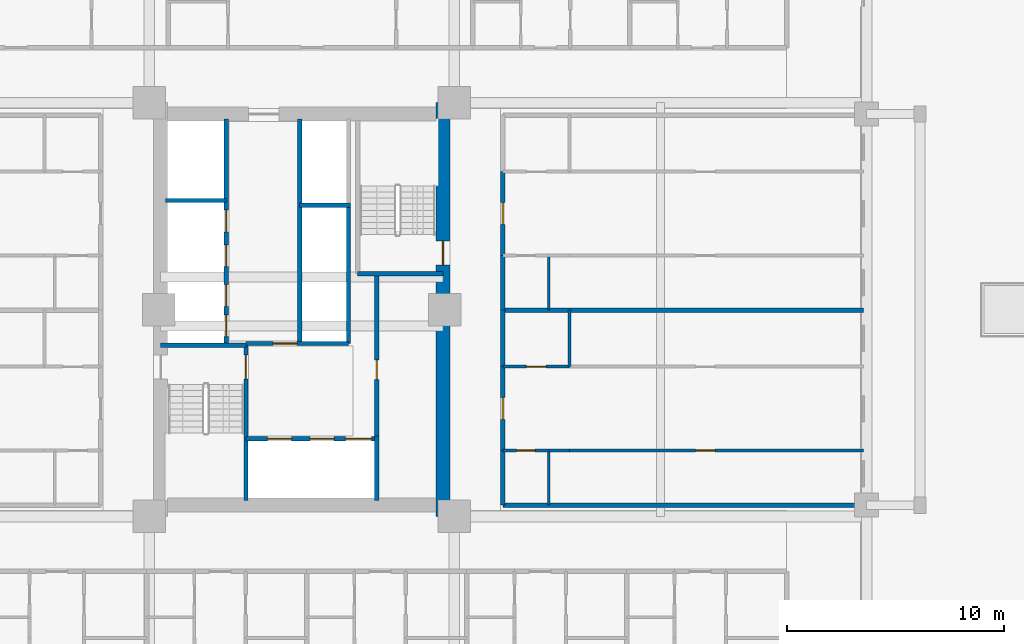
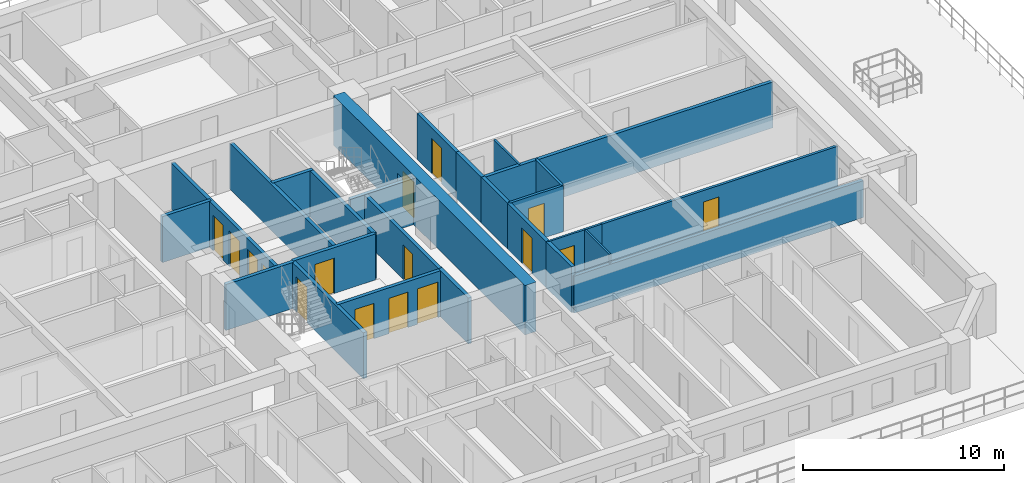
# One storey, part 6 of 19: 27 walls, 16 doors, 16 openings.
"""IFC4 building model written with IfcOpenShell, lengths in metres."""

from ifc_helpers import new_model, si_unit, direction, frame, frame_2d, origin, place, context, subcontext, project, spatial, rectangle, extrude, source, transform, mapped, material, layer, layer_set, type_object, element, fill, save


model = new_model("IFC4")

# Units and contexts
model_context = context("Model", 3, precision=1e-05, world=origin(), true_north=direction((0.0, 1.0)))
body_context = subcontext(model_context, "Body", "Model", "MODEL_VIEW")
ifc_project = project(units=[si_unit("LENGTHUNIT", "METRE"), si_unit("AREAUNIT", "SQUARE_METRE"), si_unit("VOLUMEUNIT", "CUBIC_METRE"), si_unit("PLANEANGLEUNIT", "RADIAN"), si_unit("MASSUNIT", "GRAM", prefix="KILO")], contexts=[model_context])

# Site, building, storey
site_placement = place(None, origin())
site = spatial("IfcSite", under=ifc_project, at=site_placement, CompositionType="ELEMENT")
building_placement = place(site_placement, origin())
building = spatial("IfcBuilding", under=site, at=building_placement, Name="Saelheon Loggia Tower", CompositionType="ELEMENT")
storey_placement = place(building_placement, frame((0.0, 0.0, 19.39990234375)))
storey = spatial("IfcBuildingStorey", under=building, at=storey_placement, Name="L05", CompositionType="ELEMENT", Elevation=19.39990234375)

# Wall, opening, door
ifc_material_1 = material(Name="Concrete C60/75", Category="concrete")
ifc_layer_1 = layer(ifc_material_1, 0.64990234375)
ifc_layer_set_1 = layer_set([ifc_layer_1], Name="Concrete C60/75")
wall_type_1 = type_object("IfcWallType", Name="Wall_CoreShear_650", PredefinedType="SHEAR", material=ifc_layer_set_1)
wall_1_placement = place(storey_placement, frame((44.5, 17.47998046875, 0.0), z_axis=(0.0, 0.0, 1.0), x_axis=(0.0, 1.0, 0.0)))
wall_1 = element("IfcWall", 1, at=wall_1_placement, inside=storey, type_object=wall_type_1, Name="L05 Core Shear Wall East", PredefinedType="SHEAR", context=body_context, shape_type="SweptSolid", body=[
    extrude(rectangle(XDim=19.0400390625, YDim=0.64990234375, at=frame_2d((9.52001953125, 0.0))), origin(), (0.0, 0.0, 1.0), 3.0),
])
opening_1_placement = place(wall_1_placement, frame((12.670166015625, 0.0, 0.0), z_axis=(0.0, 0.0, 1.0), x_axis=(-1.0, 0.0, 0.0)))
opening_1 = element("IfcOpeningElement", 2, at=opening_1_placement, cuts=wall_1, Name="Opening D-FD2", PredefinedType="OPENING", context=body_context, shape_type="SweptSolid", body=[
    extrude(rectangle(XDim=1.10009765625, YDim=2.14990234375, at=frame_2d((0.550048828125, 1.074951171875))), frame((0.0, 0.3369140625, 0.0), z_axis=(0.0, -1.0, 0.0), x_axis=(1.0, 0.0, 0.0)), (0.0, 0.0, 1.0), 0.673828125),
])
ifc_material_2 = material(Name="Galvanised Steel Fire Door", Category="steel")
door_type_1 = type_object("IfcDoorType", Name="Door_Fire_FD60_1100", OperationType="NOTDEFINED", PredefinedType="DOOR", material=ifc_material_2)
shared_shape_1 = source(origin(), body_context, "Body", "SweptSolid", [
    extrude(rectangle(XDim=1.10009765625, YDim=2.14990234375, at=frame_2d((0.550048828125, 1.074951171875))), frame((0.0, 0.02490234375, 0.0), z_axis=(0.0, -1.0, 0.0), x_axis=(1.0, 0.0, 0.0)), (0.0, 0.0, 1.0), 0.050048828125),
])
door_1_placement = place(opening_1_placement, origin())
door_1 = element("IfcDoor", 3, at=door_1_placement, inside=storey, type_object=door_type_1, Name="L05 Stair ST2 Corridor Door", OperationType="SINGLE_SWING_RIGHT", OverallHeight=2.14990234375, OverallWidth=1.10009765625, PredefinedType="DOOR", context=body_context, shape_type="MappedRepresentation", body=[
    mapped(shared_shape_1, transform((0.0, 0.0, 0.0), scale=1.0)),
])
fill(opening_1, door_1)

# Wall
ifc_material_3 = material(Name="Lightweight Autoclaved Aerated Concrete Block and Acoustic Gypsum", Category="concrete")
ifc_layer_2 = layer(ifc_material_3, 0.14990234375)
ifc_layer_set_2 = layer_set([ifc_layer_2], Name="Lightweight Autoclaved Aerated Concrete Block and Acoustic Gypsum")
wall_type_2 = type_object("IfcWallType", Name="Wall_Part_150", PredefinedType="PARTITIONING", material=ifc_layer_set_2)
wall_2_placement = place(storey_placement, frame((50.320068359375, 24.375, 0.0), z_axis=(0.0, 0.0, 1.0), x_axis=(0.0, 1.0, 0.0)))
element("IfcWall", 4, at=wall_2_placement, inside=storey, type_object=wall_type_2, Name="L05 E Partition V07", PredefinedType="PARTITIONING", context=body_context, shape_type="SweptSolid", body=[
    extrude(rectangle(XDim=2.60009765625, YDim=0.14990234375, at=frame_2d((1.300048828125, 0.0))), origin(), (0.0, 0.0, 1.0), 2.7900390625),
])

# Wall, opening, door
wall_3_placement = place(storey_placement, frame((50.320068359375, 20.512939453125, 0.0), z_axis=(0.0, 0.0, 1.0), x_axis=(1.0, 0.0, 0.0)))
wall_3 = element("IfcWall", 5, at=wall_3_placement, inside=storey, type_object=wall_type_2, Name="L05 E Partition U10", PredefinedType="PARTITIONING", context=body_context, shape_type="SweptSolid", body=[
    extrude(rectangle(XDim=13.530029296875, YDim=0.14990234375, at=frame_2d((6.76513671875, 0.0))), origin(), (0.0, 0.0, 1.0), 2.7900390625),
])
opening_2_placement = place(wall_3_placement, frame((5.808837890625, 0.0, 0.0)))
opening_2 = element("IfcOpeningElement", 6, at=opening_2_placement, cuts=wall_3, Name="Opening D-IN2", PredefinedType="OPENING", context=body_context, shape_type="SweptSolid", body=[
    extrude(rectangle(XDim=0.89990234375, YDim=2.10009765625, at=frame_2d((0.449951171875, 1.050048828125))), frame((0.0, 0.0869140625, 0.0), z_axis=(0.0, -1.0, 0.0), x_axis=(1.0, 0.0, 0.0)), (0.0, 0.0, 1.0), 0.173828125),
])
ifc_material_4 = material(Name="Engineered Oak Flush Door", Category="timber")
door_type_2 = type_object("IfcDoorType", Name="Door_Int_900", OperationType="NOTDEFINED", PredefinedType="DOOR", material=ifc_material_4)
shared_shape_2 = source(origin(), body_context, "Body", "SweptSolid", [
    extrude(rectangle(XDim=0.89990234375, YDim=2.10009765625, at=frame_2d((0.449951171875, 1.050048828125))), frame((0.0, 0.02490234375, 0.0), z_axis=(0.0, -1.0, 0.0), x_axis=(1.0, 0.0, 0.0)), (0.0, 0.0, 1.0), 0.050048828125),
])
door_2_placement = place(opening_2_placement, origin())
door_2 = element("IfcDoor", 7, at=door_2_placement, inside=storey, type_object=door_type_2, Name="Unit U13 Kitchen Door", OperationType="SINGLE_SWING_RIGHT", OverallHeight=2.10009765625, OverallWidth=0.89990234375, PredefinedType="DOOR", context=body_context, shape_type="MappedRepresentation", body=[
    mapped(shared_shape_2, transform((0.0, 0.0, 0.0), scale=1.0)),
])
fill(opening_2, door_2)

wall_4_placement = place(storey_placement, frame((47.25, 24.375, 0.0), z_axis=(0.0, 0.0, 1.0), x_axis=(1.0, 0.0, 0.0)))
wall_4 = element("IfcWall", 8, at=wall_4_placement, inside=storey, type_object=wall_type_2, Name="L05 E Partition U11", PredefinedType="PARTITIONING", context=body_context, shape_type="SweptSolid", body=[
    extrude(rectangle(XDim=3.070068359375, YDim=0.14990234375, at=frame_2d((1.53515625, 0.0))), origin(), (0.0, 0.0, 1.0), 2.7900390625),
])
opening_3_placement = place(wall_4_placement, frame((1.0849609375, 0.0, 0.0)))
opening_3 = element("IfcOpeningElement", 9, at=opening_3_placement, cuts=wall_4, Name="Opening D-IN2", PredefinedType="OPENING", context=body_context, shape_type="SweptSolid", body=[
    extrude(rectangle(XDim=0.89990234375, YDim=2.10009765625, at=frame_2d((0.449951171875, 1.050048828125))), frame((0.0, 0.0869140625, 0.0), z_axis=(0.0, -1.0, 0.0), x_axis=(1.0, 0.0, 0.0)), (0.0, 0.0, 1.0), 0.173828125),
])
door_3_placement = place(opening_3_placement, origin())
door_3 = element("IfcDoor", 10, at=door_3_placement, inside=storey, type_object=door_type_2, Name="Unit U13 Dressing Closet Door", OperationType="SINGLE_SWING_LEFT", OverallHeight=2.10009765625, OverallWidth=0.89990234375, PredefinedType="DOOR", context=body_context, shape_type="MappedRepresentation", body=[
    mapped(shared_shape_2, transform((0.0, 0.0, 0.0), scale=1.0)),
])
fill(opening_3, door_3)

# Walls
ifc_material_5 = material(Name="Double Acoustic Stud and Fireboard Partition", Category="gypsum")
ifc_layer_3 = layer(ifc_material_5, 0.199951171875)
ifc_layer_set_3 = layer_set([ifc_layer_3], Name="Double Acoustic Stud and Fireboard Partition")
wall_type_3 = type_object("IfcWallType", Name="Wall_Party_200", PredefinedType="PARTITIONING", material=ifc_layer_set_3)
wall_5_placement = place(storey_placement, frame((47.25, 18.0, 0.0), z_axis=(0.0, 0.0, 1.0), x_axis=(1.0, 0.0, 0.0)))
element("IfcWall", 11, at=wall_5_placement, inside=storey, type_object=wall_type_3, Name="L05 E Partition U01", PredefinedType="PARTITIONING", context=body_context, shape_type="SweptSolid", body=[
    extrude(rectangle(XDim=16.60009765625, YDim=0.199951171875, at=frame_2d((8.300048828125, 0.0))), origin(), (0.0, 0.0, 1.0), 2.239990234375),
])
wall_6_placement = place(storey_placement, frame((47.25, 18.0, 0.0), z_axis=(0.0, 0.0, 1.0), x_axis=(0.0, 1.0, 0.0)))
element("IfcWall", 12, at=wall_6_placement, inside=storey, type_object=wall_type_3, Name="L05 E Partition V03", PredefinedType="PARTITIONING", context=body_context, shape_type="SweptSolid", body=[
    extrude(rectangle(XDim=2.512939453125, YDim=0.199951171875, at=frame_2d((1.25634765625, 0.0))), origin(), (0.0, 0.0, 1.0), 2.7900390625),
])

# Wall, opening, door
wall_7_placement = place(storey_placement, frame((47.25, 20.512939453125, 0.0), z_axis=(0.0, 0.0, 1.0), x_axis=(0.0, 1.0, 0.0)))
wall_7 = element("IfcWall", 13, at=wall_7_placement, inside=storey, type_object=wall_type_3, Name="L05 E Partition V04", PredefinedType="PARTITIONING", context=body_context, shape_type="SweptSolid", body=[
    extrude(rectangle(XDim=3.862060546875, YDim=0.199951171875, at=frame_2d((1.93115234375, 0.0))), origin(), (0.0, 0.0, 1.0), 2.7900390625),
])
opening_4_placement = place(wall_7_placement, frame((1.430908203125, 0.0, 0.0)))
opening_4 = element("IfcOpeningElement", 14, at=opening_4_placement, cuts=wall_7, Name="Opening D-FD1", PredefinedType="OPENING", context=body_context, shape_type="SweptSolid", body=[
    extrude(rectangle(XDim=1.0, YDim=2.14990234375, at=frame_2d((0.5, 1.074951171875))), frame((0.0, 0.112060546875, 0.0), z_axis=(0.0, -1.0, 0.0), x_axis=(1.0, 0.0, 0.0)), (0.0, 0.0, 1.0), 0.223876953125),
])
ifc_material_6 = material(Name="Fire-Rated Engineered Timber Entrance Door", Category="wood")
door_type_3 = type_object("IfcDoorType", Name="Door_Flat_FD30S", OperationType="NOTDEFINED", PredefinedType="DOOR", material=ifc_material_6)
shared_shape_3 = source(origin(), body_context, "Body", "SweptSolid", [
    extrude(rectangle(XDim=1.0, YDim=2.14990234375, at=frame_2d((0.5, 1.074951171875))), frame((0.0, 0.02490234375, 0.0), z_axis=(0.0, -1.0, 0.0), x_axis=(1.0, 0.0, 0.0)), (0.0, 0.0, 1.0), 0.050048828125),
])
door_4_placement = place(opening_4_placement, origin())
door_4 = element("IfcDoor", 15, at=door_4_placement, inside=storey, type_object=door_type_3, Name="Unit U13 Entrance Door", OperationType="SINGLE_SWING_RIGHT", OverallHeight=2.14990234375, OverallWidth=1.0, PredefinedType="DOOR", context=body_context, shape_type="MappedRepresentation", body=[
    mapped(shared_shape_3, transform((0.0, 0.0, 0.0), scale=1.0)),
])
fill(opening_4, door_4)

# Walls
wall_8_placement = place(storey_placement, frame((47.25, 24.375, 0.0), z_axis=(0.0, 0.0, 1.0), x_axis=(0.0, 1.0, 0.0)))
element("IfcWall", 16, at=wall_8_placement, inside=storey, type_object=wall_type_3, Name="L05 E Partition V05", PredefinedType="PARTITIONING", context=body_context, shape_type="SweptSolid", body=[
    extrude(rectangle(XDim=2.60009765625, YDim=0.199951171875, at=frame_2d((1.300048828125, 0.0))), origin(), (0.0, 0.0, 1.0), 2.7900390625),
])
wall_9_placement = place(storey_placement, frame((47.25, 26.97509765625, 0.0), z_axis=(0.0, 0.0, 1.0), x_axis=(1.0, 0.0, 0.0)))
element("IfcWall", 17, at=wall_9_placement, inside=storey, type_object=wall_type_3, Name="L05 E Partition U13", PredefinedType="PARTITIONING", context=body_context, shape_type="SweptSolid", body=[
    extrude(rectangle(XDim=16.60009765625, YDim=0.199951171875, at=frame_2d((8.300048828125, 0.0))), origin(), (0.0, 0.0, 1.0), 2.7900390625),
])
wall_10_placement = place(storey_placement, frame((47.25, 26.97509765625, 0.0), z_axis=(0.0, 0.0, 1.0), x_axis=(0.0, 1.0, 0.0)))
element("IfcWall", 18, at=wall_10_placement, inside=storey, type_object=wall_type_3, Name="L05 E Partition V14", PredefinedType="PARTITIONING", context=body_context, shape_type="SweptSolid", body=[
    extrude(rectangle(XDim=2.512939453125, YDim=0.199951171875, at=frame_2d((1.25634765625, 0.0))), origin(), (0.0, 0.0, 1.0), 2.7900390625),
])

# Wall, opening, door
wall_11_placement = place(storey_placement, frame((47.25, 29.488037109375, 0.0), z_axis=(0.0, 0.0, 1.0), x_axis=(0.0, 1.0, 0.0)))
wall_11 = element("IfcWall", 19, at=wall_11_placement, inside=storey, type_object=wall_type_3, Name="L05 E Partition V15", PredefinedType="PARTITIONING", context=body_context, shape_type="SweptSolid", body=[
    extrude(rectangle(XDim=3.862060546875, YDim=0.199951171875, at=frame_2d((1.93115234375, 0.0))), origin(), (0.0, 0.0, 1.0), 2.7900390625),
])
opening_5_placement = place(wall_11_placement, frame((1.430908203125, 0.0, 0.0)))
opening_5 = element("IfcOpeningElement", 20, at=opening_5_placement, cuts=wall_11, Name="Opening D-FD1", PredefinedType="OPENING", context=body_context, shape_type="SweptSolid", body=[
    extrude(rectangle(XDim=1.0, YDim=2.14990234375, at=frame_2d((0.5, 1.074951171875))), frame((0.0, 0.112060546875, 0.0), z_axis=(0.0, -1.0, 0.0), x_axis=(1.0, 0.0, 0.0)), (0.0, 0.0, 1.0), 0.223876953125),
])
door_5_placement = place(opening_5_placement, origin())
door_5 = element("IfcDoor", 21, at=door_5_placement, inside=storey, type_object=door_type_3, Name="Unit U14 Entrance Door", OperationType="SINGLE_SWING_LEFT", OverallHeight=2.14990234375, OverallWidth=1.0, PredefinedType="DOOR", context=body_context, shape_type="MappedRepresentation", body=[
    mapped(shared_shape_3, transform((0.0, 0.0, 0.0), scale=1.0)),
])
fill(opening_5, door_5)

# Wall
ifc_material_7 = material(Name="Concrete C40/50", Category="concrete")
ifc_layer_4 = layer(ifc_material_7, 0.199951171875)
ifc_layer_set_4 = layer_set([ifc_layer_4], Name="Concrete C40/50")
wall_type_4 = type_object("IfcWallType", Name="Wall_Shaft_200", PredefinedType="PARTITIONING", material=ifc_layer_set_4)
wall_12_placement = place(storey_placement, frame((41.449951171875, 18.219970703125, 0.0), z_axis=(0.0, 0.0, 1.0), x_axis=(0.0, 1.0, 0.0)))
element("IfcWall", 22, at=wall_12_placement, inside=storey, type_object=wall_type_4, Name="CW-INT-L05-BOH-W0", PredefinedType="PARTITIONING", context=body_context, shape_type="SweptSolid", body=[
    extrude(rectangle(XDim=2.9599609375, YDim=0.199951171875, at=frame_2d((1.47998046875, 0.0))), origin(), (0.0, 0.0, 1.0), 2.7900390625),
])

# Wall, opening, door
wall_13_placement = place(storey_placement, frame((41.449951171875, 21.179931640625, 0.0), z_axis=(0.0, 0.0, 1.0), x_axis=(0.0, 1.0, 0.0)))
wall_13 = element("IfcWall", 23, at=wall_13_placement, inside=storey, type_object=wall_type_4, Name="CW-INT-L05-BOH-W1", PredefinedType="PARTITIONING", context=body_context, shape_type="SweptSolid", body=[
    extrude(rectangle(XDim=7.420166015625, YDim=0.199951171875, at=frame_2d((3.7099609375, 0.0))), origin(), (0.0, 0.0, 1.0), 2.7900390625),
])
opening_6_placement = place(wall_13_placement, frame((2.60009765625, 0.0, 0.0)))
opening_6 = element("IfcOpeningElement", 24, at=opening_6_placement, cuts=wall_13, Name="Opening D-RS1", PredefinedType="OPENING", context=body_context, shape_type="SweptSolid", body=[
    extrude(rectangle(XDim=0.89990234375, YDim=2.10009765625, at=frame_2d((0.449951171875, 1.050048828125))), frame((0.0, 0.112060546875, 0.0), z_axis=(0.0, -1.0, 0.0), x_axis=(1.0, 0.0, 0.0)), (0.0, 0.0, 1.0), 0.223876953125),
])
ifc_material_8 = material(Name="Galvanised Steel Riser Access Door", Category="steel")
door_type_4 = type_object("IfcDoorType", Name="Door_Riser_FD60", OperationType="NOTDEFINED", PredefinedType="DOOR", material=ifc_material_8)
door_6_placement = place(opening_6_placement, origin())
door_6 = element("IfcDoor", 25, at=door_6_placement, inside=storey, type_object=door_type_4, Name="L05 Core Service Store Door", OperationType="SINGLE_SWING_RIGHT", OverallHeight=2.10009765625, OverallWidth=0.89990234375, PredefinedType="DOOR", context=body_context, shape_type="MappedRepresentation", body=[
    mapped(shared_shape_2, transform((0.0, 0.0, 0.0), scale=1.0)),
])
fill(opening_6, door_6)

# Wall
wall_14_placement = place(storey_placement, frame((40.14990234375, 25.43994140625, 0.0), z_axis=(0.0, 0.0, 1.0), x_axis=(0.0, 1.0, 0.0)))
element("IfcWall", 26, at=wall_14_placement, inside=storey, type_object=wall_type_4, Name="L05 Core Service Passage West Wall", PredefinedType="PARTITIONING", context=body_context, shape_type="SweptSolid", body=[
    extrude(rectangle(XDim=6.360107421875, YDim=0.199951171875, at=frame_2d((3.18017578125, 0.0))), origin(), (0.0, 0.0, 1.0), 2.7900390625),
])

# Wall, openings, doors
wall_15_placement = place(storey_placement, frame((35.429931640625, 21.06005859375, 0.0), z_axis=(0.0, 0.0, 1.0), x_axis=(1.0, 0.0, 0.0)))
wall_15 = element("IfcWall", 27, at=wall_15_placement, inside=storey, type_object=wall_type_4, Name="L05 Firefighting Lift Shaft Front Wall", PredefinedType="PARTITIONING", context=body_context, shape_type="SweptSolid", body=[
    extrude(rectangle(XDim=6.02001953125, YDim=0.199951171875, at=frame_2d((3.010009765625, 0.0))), origin(), (0.0, 0.0, 1.0), 2.7900390625),
])
opening_7_placement = place(wall_15_placement, frame((1.0, 0.0, 0.0)))
opening_7 = element("IfcOpeningElement", 28, at=opening_7_placement, cuts=wall_15, Name="Opening LD2", PredefinedType="OPENING", context=body_context, shape_type="SweptSolid", body=[
    extrude(rectangle(XDim=1.10009765625, YDim=2.14990234375, at=frame_2d((0.550048828125, 1.074951171875))), frame((0.0, 0.112060546875, 0.0), z_axis=(0.0, -1.0, 0.0), x_axis=(1.0, 0.0, 0.0)), (0.0, 0.0, 1.0), 0.223876953125),
])
opening_8_placement = place(wall_15_placement, frame((2.949951171875, 0.0, 0.0)))
opening_8 = element("IfcOpeningElement", 29, at=opening_8_placement, cuts=wall_15, Name="Opening LD2", PredefinedType="OPENING", context=body_context, shape_type="SweptSolid", body=[
    extrude(rectangle(XDim=1.10009765625, YDim=2.14990234375, at=frame_2d((0.550048828125, 1.074951171875))), frame((0.0, 0.112060546875, 0.0), z_axis=(0.0, -1.0, 0.0), x_axis=(1.0, 0.0, 0.0)), (0.0, 0.0, 1.0), 0.223876953125),
])
opening_9_placement = place(wall_15_placement, frame((4.580078125, 0.0, 0.0)))
opening_9 = element("IfcOpeningElement", 30, at=opening_9_placement, cuts=wall_15, Name="Opening LD3", PredefinedType="OPENING", context=body_context, shape_type="SweptSolid", body=[
    extrude(rectangle(XDim=1.199951171875, YDim=2.14990234375, at=frame_2d((0.60009765625, 1.074951171875))), frame((0.0, 0.112060546875, 0.0), z_axis=(0.0, -1.0, 0.0), x_axis=(1.0, 0.0, 0.0)), (0.0, 0.0, 1.0), 0.223876953125),
])
ifc_material_9 = material(Name="Firefighting Stainless Steel 316 Landing Door", Category="steel")
door_type_5 = type_object("IfcDoorType", Name="Door_Lift_LD2", OperationType="DOUBLE_DOOR_SLIDING", PredefinedType="DOOR", material=ifc_material_9)
door_7_placement = place(opening_7_placement, origin())
door_7 = element("IfcDoor", 31, at=door_7_placement, inside=storey, type_object=door_type_5, Name="L05 FF1 Landing Door", OperationType="DOUBLE_DOOR_SLIDING", OverallHeight=2.14990234375, OverallWidth=1.10009765625, PredefinedType="DOOR", context=body_context, shape_type="MappedRepresentation", body=[
    mapped(shared_shape_1, transform((0.0, 0.0, 0.0), scale=1.0)),
])
fill(opening_7, door_7)
door_8_placement = place(opening_8_placement, origin())
door_8 = element("IfcDoor", 32, at=door_8_placement, inside=storey, type_object=door_type_5, Name="L05 FF2 Landing Door", OperationType="DOUBLE_DOOR_SLIDING", OverallHeight=2.14990234375, OverallWidth=1.10009765625, PredefinedType="DOOR", context=body_context, shape_type="MappedRepresentation", body=[
    mapped(shared_shape_1, transform((0.0, 0.0, 0.0), scale=1.0)),
])
fill(opening_8, door_8)
ifc_material_10 = material(Name="Stretcher Lift Stainless Steel 304 Landing Door", Category="steel")
door_type_6 = type_object("IfcDoorType", Name="Door_Lift_LD3", OperationType="DOUBLE_DOOR_SLIDING", PredefinedType="DOOR", material=ifc_material_10)
shared_shape_4 = source(origin(), body_context, "Body", "SweptSolid", [
    extrude(rectangle(XDim=1.199951171875, YDim=2.14990234375, at=frame_2d((0.60009765625, 1.074951171875))), frame((0.0, 0.02490234375, 0.0), z_axis=(0.0, -1.0, 0.0), x_axis=(1.0, 0.0, 0.0)), (0.0, 0.0, 1.0), 0.050048828125),
])
door_9_placement = place(opening_9_placement, origin())
door_9 = element("IfcDoor", 33, at=door_9_placement, inside=storey, type_object=door_type_6, Name="L05 SV1 Landing Door", OperationType="DOUBLE_DOOR_SLIDING", OverallHeight=2.14990234375, OverallWidth=1.199951171875, PredefinedType="DOOR", context=body_context, shape_type="MappedRepresentation", body=[
    mapped(shared_shape_4, transform((0.0, 0.0, 0.0), scale=1.0)),
])
fill(opening_9, door_9)

# Wall, opening, door
wall_16_placement = place(storey_placement, frame((35.429931640625, 25.43994140625, 0.0), z_axis=(0.0, 0.0, 1.0), x_axis=(1.0, 0.0, 0.0)))
wall_16 = element("IfcWall", 34, at=wall_16_placement, inside=storey, type_object=wall_type_4, Name="L05 Firefighting Lobby Compartment Wall", PredefinedType="PARTITIONING", context=body_context, shape_type="SweptSolid", body=[
    extrude(rectangle(XDim=4.719970703125, YDim=0.199951171875, at=frame_2d((2.35986328125, 0.0))), origin(), (0.0, 0.0, 1.0), 2.7900390625),
])
opening_10_placement = place(wall_16_placement, frame((1.25, 0.0, 0.0)))
opening_10 = element("IfcOpeningElement", 35, at=opening_10_placement, cuts=wall_16, Name="Opening D-FD2", PredefinedType="OPENING", context=body_context, shape_type="SweptSolid", body=[
    extrude(rectangle(XDim=1.10009765625, YDim=2.14990234375, at=frame_2d((0.550048828125, 1.074951171875))), frame((0.0, 0.112060546875, 0.0), z_axis=(0.0, -1.0, 0.0), x_axis=(1.0, 0.0, 0.0)), (0.0, 0.0, 1.0), 0.223876953125),
])
door_10_placement = place(opening_10_placement, origin())
door_10 = element("IfcDoor", 36, at=door_10_placement, inside=storey, type_object=door_type_1, Name="L05 Firefighting Lobby Door", OperationType="SINGLE_SWING_LEFT", OverallHeight=2.14990234375, OverallWidth=1.10009765625, PredefinedType="DOOR", context=body_context, shape_type="MappedRepresentation", body=[
    mapped(shared_shape_1, transform((0.0, 0.0, 0.0), scale=1.0)),
])
fill(opening_10, door_10)

# Wall, openings, doors
wall_17_placement = place(storey_placement, frame((34.52001953125, 25.43994140625, 0.0), z_axis=(0.0, 0.0, 1.0), x_axis=(0.0, 1.0, 0.0)))
wall_17 = element("IfcWall", 37, at=wall_17_placement, inside=storey, type_object=wall_type_4, Name="L05 West Passenger Lift Bank Wall", PredefinedType="PARTITIONING", context=body_context, shape_type="SweptSolid", body=[
    extrude(rectangle(XDim=10.340087890625, YDim=0.199951171875, at=frame_2d((5.169921875, 0.0))), origin(), (0.0, 0.0, 1.0), 2.7900390625),
])
opening_11_placement = place(wall_17_placement, frame((0.320068359375, 0.0, 0.0)))
opening_11 = element("IfcOpeningElement", 38, at=opening_11_placement, cuts=wall_17, Name="Opening LD1", PredefinedType="OPENING", context=body_context, shape_type="SweptSolid", body=[
    extrude(rectangle(XDim=1.0, YDim=2.14990234375, at=frame_2d((0.5, 1.074951171875))), frame((0.0, 0.112060546875, 0.0), z_axis=(0.0, -1.0, 0.0), x_axis=(1.0, 0.0, 0.0)), (0.0, 0.0, 1.0), 0.223876953125),
])
opening_12_placement = place(wall_17_placement, frame((1.7099609375, 0.0, 0.0)))
opening_12 = element("IfcOpeningElement", 39, at=opening_12_placement, cuts=wall_17, Name="Opening LD1", PredefinedType="OPENING", context=body_context, shape_type="SweptSolid", body=[
    extrude(rectangle(XDim=1.0, YDim=2.14990234375, at=frame_2d((0.5, 1.074951171875))), frame((0.0, 0.112060546875, 0.0), z_axis=(0.0, -1.0, 0.0), x_axis=(1.0, 0.0, 0.0)), (0.0, 0.0, 1.0), 0.223876953125),
])
opening_13_placement = place(wall_17_placement, frame((3.534912109375, 0.0, 0.0)))
opening_13 = element("IfcOpeningElement", 40, at=opening_13_placement, cuts=wall_17, Name="Opening LD1", PredefinedType="OPENING", context=body_context, shape_type="SweptSolid", body=[
    extrude(rectangle(XDim=1.0, YDim=2.14990234375, at=frame_2d((0.5, 1.074951171875))), frame((0.0, 0.112060546875, 0.0), z_axis=(0.0, -1.0, 0.0), x_axis=(1.0, 0.0, 0.0)), (0.0, 0.0, 1.0), 0.223876953125),
])
opening_14_placement = place(wall_17_placement, frame((5.135009765625, 0.0, 0.0)))
opening_14 = element("IfcOpeningElement", 41, at=opening_14_placement, cuts=wall_17, Name="Opening LD1", PredefinedType="OPENING", context=body_context, shape_type="SweptSolid", body=[
    extrude(rectangle(XDim=1.0, YDim=2.14990234375, at=frame_2d((0.5, 1.074951171875))), frame((0.0, 0.112060546875, 0.0), z_axis=(0.0, -1.0, 0.0), x_axis=(1.0, 0.0, 0.0)), (0.0, 0.0, 1.0), 0.223876953125),
])
ifc_material_11 = material(Name="Brushed Stainless Steel 304 Landing Door", Category="steel")
door_type_7 = type_object("IfcDoorType", Name="Door_Lift_LD1", OperationType="DOUBLE_DOOR_SLIDING", PredefinedType="DOOR", material=ifc_material_11)
door_11_placement = place(opening_11_placement, origin())
door_11 = element("IfcDoor", 42, at=door_11_placement, inside=storey, type_object=door_type_7, Name="L05 PL1 Landing Door", OperationType="DOUBLE_DOOR_SLIDING", OverallHeight=2.14990234375, OverallWidth=1.0, PredefinedType="DOOR", context=body_context, shape_type="MappedRepresentation", body=[
    mapped(shared_shape_3, transform((0.0, 0.0, 0.0), scale=1.0)),
])
fill(opening_11, door_11)
door_12_placement = place(opening_12_placement, origin())
door_12 = element("IfcDoor", 43, at=door_12_placement, inside=storey, type_object=door_type_7, Name="L05 PL2 Landing Door", OperationType="DOUBLE_DOOR_SLIDING", OverallHeight=2.14990234375, OverallWidth=1.0, PredefinedType="DOOR", context=body_context, shape_type="MappedRepresentation", body=[
    mapped(shared_shape_3, transform((0.0, 0.0, 0.0), scale=1.0)),
])
fill(opening_12, door_12)
door_13_placement = place(opening_13_placement, origin())
door_13 = element("IfcDoor", 44, at=door_13_placement, inside=storey, type_object=door_type_7, Name="L05 PL3 Landing Door", OperationType="DOUBLE_DOOR_SLIDING", OverallHeight=2.14990234375, OverallWidth=1.0, PredefinedType="DOOR", context=body_context, shape_type="MappedRepresentation", body=[
    mapped(shared_shape_3, transform((0.0, 0.0, 0.0), scale=1.0)),
])
fill(opening_13, door_13)
door_14_placement = place(opening_14_placement, origin())
door_14 = element("IfcDoor", 45, at=door_14_placement, inside=storey, type_object=door_type_7, Name="L05 PL4 Landing Door", OperationType="DOUBLE_DOOR_SLIDING", OverallHeight=2.14990234375, OverallWidth=1.0, PredefinedType="DOOR", context=body_context, shape_type="MappedRepresentation", body=[
    mapped(shared_shape_3, transform((0.0, 0.0, 0.0), scale=1.0)),
])
fill(opening_14, door_14)

# Walls
wall_18_placement = place(storey_placement, frame((31.719970703125, 32.02001953125, 0.0), z_axis=(0.0, 0.0, 1.0), x_axis=(1.0, 0.0, 0.0)))
element("IfcWall", 46, at=wall_18_placement, inside=storey, type_object=wall_type_4, Name="L05 West High-Rise Shaft Divider", PredefinedType="PARTITIONING", context=body_context, shape_type="SweptSolid", body=[
    extrude(rectangle(XDim=2.800048828125, YDim=0.199951171875, at=frame_2d((1.39990234375, 0.0))), origin(), (0.0, 0.0, 1.0), 2.7900390625),
])
wall_19_placement = place(storey_placement, frame((37.89990234375, 25.43994140625, 0.0), z_axis=(0.0, 0.0, 1.0), x_axis=(0.0, 1.0, 0.0)))
element("IfcWall", 47, at=wall_19_placement, inside=storey, type_object=wall_type_4, Name="L05 East Passenger Lift Bank Wall", PredefinedType="PARTITIONING", context=body_context, shape_type="SweptSolid", body=[
    extrude(rectangle(XDim=10.340087890625, YDim=0.199951171875, at=frame_2d((5.169921875, 0.0))), origin(), (0.0, 0.0, 1.0), 2.7900390625),
])
wall_20_placement = place(storey_placement, frame((37.89990234375, 31.800048828125, 0.0), z_axis=(0.0, 0.0, 1.0), x_axis=(1.0, 0.0, 0.0)))
element("IfcWall", 48, at=wall_20_placement, inside=storey, type_object=wall_type_4, Name="L05 East High-Rise Shaft Divider", PredefinedType="PARTITIONING", context=body_context, shape_type="SweptSolid", body=[
    extrude(rectangle(XDim=2.35009765625, YDim=0.199951171875, at=frame_2d((1.175048828125, 0.0))), origin(), (0.0, 0.0, 1.0), 2.7900390625),
])

# Wall, opening, door
ifc_material_12 = material(Name="Concrete C45/55", Category="concrete")
ifc_layer_5 = layer(ifc_material_12, 0.199951171875)
ifc_layer_set_5 = layer_set([ifc_layer_5], Name="Concrete C45/55")
wall_type_5 = type_object("IfcWallType", Name="Wall_StairShaft_RC200", PredefinedType="SOLIDWALL", material=ifc_layer_set_5)
wall_21_placement = place(storey_placement, frame((35.429931640625, 18.219970703125, 0.0), z_axis=(0.0, 0.0, 1.0), x_axis=(0.0, 1.0, 0.0)))
wall_21 = element("IfcWall", 49, at=wall_21_placement, inside=storey, type_object=wall_type_5, Name="L05 Stair ST1 Shaft Wall", PredefinedType="SOLIDWALL", context=body_context, shape_type="SweptSolid", body=[
    extrude(rectangle(XDim=7.219970703125, YDim=0.199951171875, at=frame_2d((3.60986328125, 0.0))), origin(), (0.0, 0.0, 1.0), 2.7900390625),
])
opening_15_placement = place(wall_21_placement, frame((6.68017578125, 0.0, 0.0), z_axis=(0.0, 0.0, 1.0), x_axis=(-1.0, 0.0, 0.0)))
opening_15 = element("IfcOpeningElement", 50, at=opening_15_placement, cuts=wall_21, Name="Opening D-FD2", PredefinedType="OPENING", context=body_context, shape_type="SweptSolid", body=[
    extrude(rectangle(XDim=1.10009765625, YDim=2.14990234375, at=frame_2d((0.550048828125, 1.074951171875))), frame((0.0, 0.112060546875, 0.0), z_axis=(0.0, -1.0, 0.0), x_axis=(1.0, 0.0, 0.0)), (0.0, 0.0, 1.0), 0.223876953125),
])
door_15_placement = place(opening_15_placement, origin())
door_15 = element("IfcDoor", 51, at=door_15_placement, inside=storey, type_object=door_type_1, Name="L05 Stair ST1 Lobby Door", OperationType="SINGLE_SWING_RIGHT", OverallHeight=2.14990234375, OverallWidth=1.10009765625, PredefinedType="DOOR", context=body_context, shape_type="MappedRepresentation", body=[
    mapped(shared_shape_1, transform((0.0, 0.0, 0.0), scale=1.0)),
])
fill(opening_15, door_15)

# Walls
for number, where, z_axis, x_axis, name in (
    (52, (31.5, 25.35009765625, 0.0), (0.0, 0.0, 1.0), (1.0, 0.0, 0.0), "L05 Stair ST1 North Wall"),
    (53, (40.570068359375, 28.64990234375, 0.0), (0.0, 0.0, 1.0), (1.0, 0.0, 0.0), "L05 Stair ST2 South Wall"),
):
    element("IfcWall", number, at=place(storey_placement, frame(where, z_axis=z_axis, x_axis=x_axis)), inside=storey, type_object=wall_type_5, Name=name, PredefinedType="SOLIDWALL", context=body_context, shape_type="SweptSolid", body=[
        extrude(rectangle(XDim=3.929931640625, YDim=0.199951171875, at=frame_2d((1.96484375, 0.0))), origin(), (0.0, 0.0, 1.0), 2.7900390625),
    ])
ifc_material_13 = material(Name="Moisture-Resistant Cement Board Partition", Category="gypsum")
ifc_layer_6 = layer(ifc_material_13, 0.1201171875)
ifc_layer_set_6 = layer_set([ifc_layer_6], Name="Moisture-Resistant Cement Board Partition")
wall_type_6 = type_object("IfcWallType", Name="Wall_WetPart_120", PredefinedType="PARTITIONING", material=ifc_layer_set_6)
wall_22_placement = place(storey_placement, frame((49.3701171875, 18.0, 0.0), z_axis=(0.0, 0.0, 1.0), x_axis=(0.0, 1.0, 0.0)))
element("IfcWall", 54, at=wall_22_placement, inside=storey, type_object=wall_type_6, Name="L05 E Partition V06", PredefinedType="PARTITIONING", context=body_context, shape_type="SweptSolid", body=[
    extrude(rectangle(XDim=2.512939453125, YDim=0.1201171875, at=frame_2d((1.25634765625, 0.0))), origin(), (0.0, 0.0, 1.0), 2.7900390625),
])

# Wall, opening, door
wall_23_placement = place(storey_placement, frame((47.25, 20.512939453125, 0.0), z_axis=(0.0, 0.0, 1.0), x_axis=(1.0, 0.0, 0.0)))
wall_23 = element("IfcWall", 55, at=wall_23_placement, inside=storey, type_object=wall_type_6, Name="L05 E Partition U08", PredefinedType="PARTITIONING", context=body_context, shape_type="SweptSolid", body=[
    extrude(rectangle(XDim=2.1201171875, YDim=0.1201171875, at=frame_2d((1.06005859375, 0.0))), origin(), (0.0, 0.0, 1.0), 2.7900390625),
])
opening_16_placement = place(wall_23_placement, frame((0.635009765625, 0.0, 0.0)))
opening_16 = element("IfcOpeningElement", 56, at=opening_16_placement, cuts=wall_23, Name="Opening D-BT1", PredefinedType="OPENING", context=body_context, shape_type="SweptSolid", body=[
    extrude(rectangle(XDim=0.85009765625, YDim=2.050048828125, at=frame_2d((0.425048828125, 1.02490234375))), frame((0.0, 0.072021484375, 0.0), z_axis=(0.0, -1.0, 0.0), x_axis=(1.0, 0.0, 0.0)), (0.0, 0.0, 1.0), 0.14404296875),
])
ifc_material_14 = material(Name="Moisture-Resistant Laminate Timber Door", Category="wood")
door_type_8 = type_object("IfcDoorType", Name="Door_Bath_850", OperationType="NOTDEFINED", PredefinedType="DOOR", material=ifc_material_14)
shared_shape_5 = source(origin(), body_context, "Body", "SweptSolid", [
    extrude(rectangle(XDim=0.85009765625, YDim=2.050048828125, at=frame_2d((0.425048828125, 1.02490234375))), frame((0.0, 0.02490234375, 0.0), z_axis=(0.0, -1.0, 0.0), x_axis=(1.0, 0.0, 0.0)), (0.0, 0.0, 1.0), 0.050048828125),
])
door_16_placement = place(opening_16_placement, origin())
door_16 = element("IfcDoor", 57, at=door_16_placement, inside=storey, type_object=door_type_8, Name="Unit U13 Bathroom Door", OperationType="SINGLE_SWING_LEFT", OverallHeight=2.050048828125, OverallWidth=0.85009765625, PredefinedType="DOOR", context=body_context, shape_type="MappedRepresentation", body=[
    mapped(shared_shape_5, transform((0.0, 0.0, 0.0), scale=1.0)),
])
fill(opening_16, door_16)

# Walls
wall_24_placement = place(storey_placement, frame((49.3701171875, 20.512939453125, 0.0), z_axis=(0.0, 0.0, 1.0), x_axis=(1.0, 0.0, 0.0)))
element("IfcWall", 58, at=wall_24_placement, inside=storey, type_object=wall_type_6, Name="L05 E Partition U09", PredefinedType="PARTITIONING", context=body_context, shape_type="SweptSolid", body=[
    extrude(rectangle(XDim=0.949951171875, YDim=0.1201171875, at=frame_2d((0.47509765625, 0.0))), origin(), (0.0, 0.0, 1.0), 2.7900390625),
])
wall_25_placement = place(storey_placement, frame((49.3701171875, 26.97509765625, 0.0), z_axis=(0.0, 0.0, 1.0), x_axis=(0.0, 1.0, 0.0)))
element("IfcWall", 59, at=wall_25_placement, inside=storey, type_object=wall_type_6, Name="L05 E Partition V17", PredefinedType="PARTITIONING", context=body_context, shape_type="SweptSolid", body=[
    extrude(rectangle(XDim=2.512939453125, YDim=0.1201171875, at=frame_2d((1.25634765625, 0.0))), origin(), (0.0, 0.0, 1.0), 2.7900390625),
])

save(model, "model.ifc")
